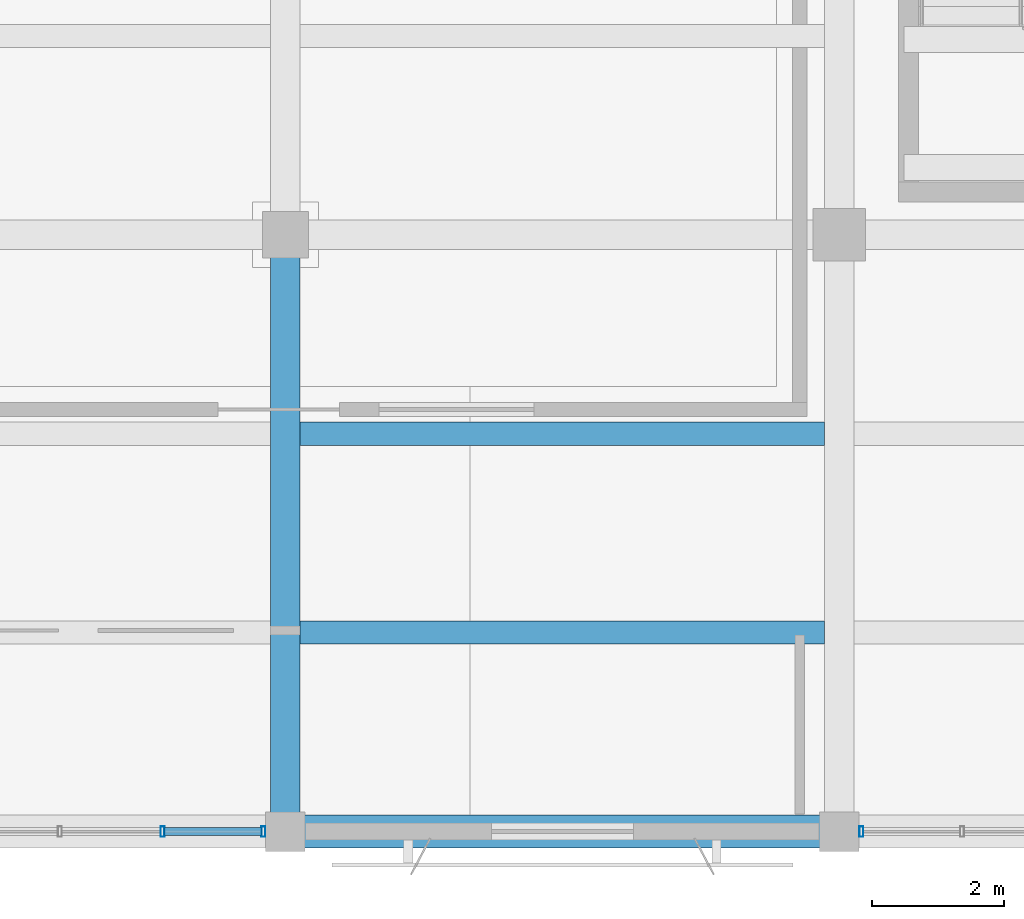
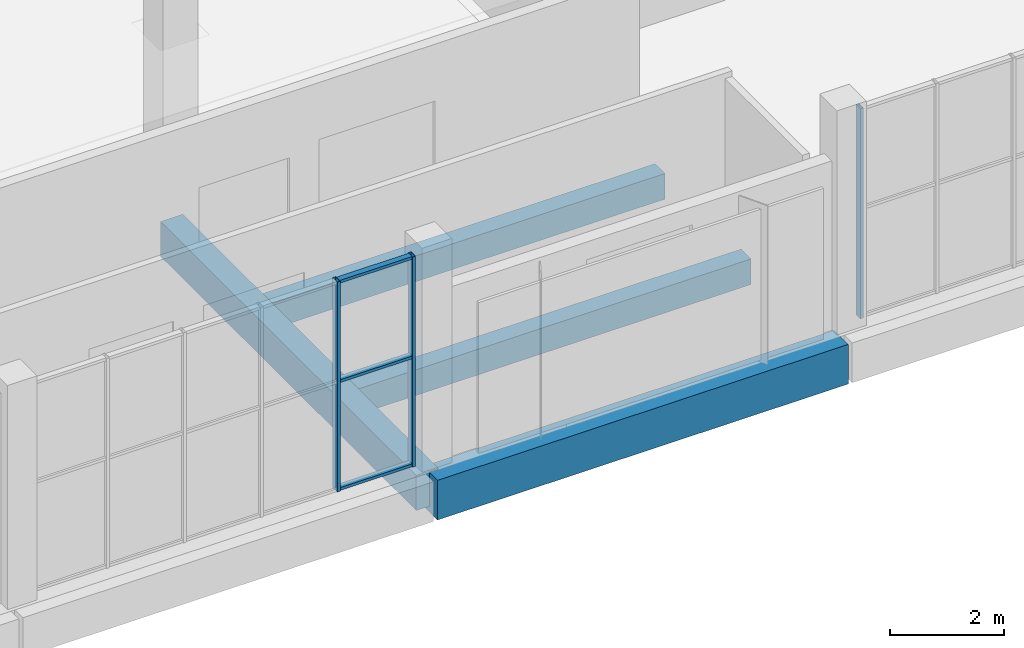
# One storey, part 8 of 80: 6 members, 4 beams, 2 elements without a shape of their own.
"""IFC4 building model written with IfcOpenShell, lengths in metres."""

from ifc_helpers import new_model, si_unit, direction, frame, origin, origin_2d, place, context, subcontext, project, spatial, rectangle, hollow_rectangle, extrude, material, material_profile, profile_set, type_object, element, aggregate, save


model = new_model("IFC4")

# Units and contexts
model_context = context("Model", 3, precision=1e-05, world=origin(), true_north=direction((0.0, 1.0)))
body_context = subcontext(model_context, "Body", "Model", "MODEL_VIEW")
ifc_project = project(units=[si_unit("LENGTHUNIT", "METRE"), si_unit("AREAUNIT", "SQUARE_METRE"), si_unit("VOLUMEUNIT", "CUBIC_METRE"), si_unit("PLANEANGLEUNIT", "RADIAN"), si_unit("MASSUNIT", "GRAM", prefix="KILO")], contexts=[model_context])

# Site, building, storey
site_placement = place(None, origin())
site = spatial("IfcSite", under=ifc_project, at=site_placement, CompositionType="ELEMENT")
building_placement = place(site_placement, origin())
building = spatial("IfcBuilding", under=site, at=building_placement, Name="Khurvash Pelagic Aquarium", CompositionType="ELEMENT")
storey_placement = place(building_placement, frame((0.0, 0.0, 10.800048828125)))
storey = spatial("IfcBuildingStorey", under=building, at=storey_placement, Name="L02", CompositionType="ELEMENT", Elevation=10.800048828125)

# Beam
ifc_material_1 = material(Name="Concrete C35/45", Category="concrete")
ifc_material_profile_1 = material_profile(ifc_material_1, rectangle(XDim=0.449951171875, YDim=0.75, at=origin_2d()), Name="RC450X750")
ifc_profile_set_1 = profile_set([ifc_material_profile_1], Name="Concrete C35/45")
beam_type_1 = type_object("IfcBeamType", Name="BM-04", PredefinedType="BEAM", material=ifc_profile_set_1)
beam_1_placement = place(storey_placement, frame((50.39990234375, 2.639892578125, -0.675048828125), z_axis=(0.0, 1.0, 0.0), x_axis=(-1.0, 0.0, 0.0)))
element("IfcBeam", 1, at=beam_1_placement, inside=storey, type_object=beam_type_1, Name="L02 Primary Girder BM-04 00677", PredefinedType="BEAM", context=body_context, shape_type="SweptSolid", body=[
    extrude(rectangle(XDim=0.449951171875, YDim=0.75, at=origin_2d()), origin(), (0.0, 0.0, 1.0), 8.97021484375),
])

# Curtain wall, members
ifc_material_2 = material(Name="Anodised aluminium and low-E laminated glass", Category="aluminium")
curtain_wall_type = type_object("IfcCurtainWallType", Name="CW-06", PredefinedType="USERDEFINED", material=ifc_material_2)
curtain_wall_1_placement = place(storey_placement, origin())
curtain_wall_1 = element("IfcCurtainWall", 2, at=curtain_wall_1_placement, inside=storey, type_object=curtain_wall_type, Name="L02 Facade Unitised Curtain Wall CW-06 0152", ObjectType="UNITISED CURTAIN WALL", PredefinedType="USERDEFINED")
ifc_material_3 = material(Name="Extruded aluminium AW-6063-T6", Category="aluminium")
ifc_material_profile_2 = material_profile(ifc_material_3, hollow_rectangle(XDim=0.06005859375, YDim=0.159912109375, WallThickness=0.00390625, at=origin_2d()), Name="CWM60X160X4")
ifc_profile_set_2 = profile_set([ifc_material_profile_2], Name="Extruded aluminium AW-6063-T6")
member_type_1 = type_object("IfcMemberType", Name="CM-02", PredefinedType="MULLION", material=ifc_profile_set_2)
member_1_placement = place(storey_placement, frame((48.537109375, 2.60009765625, 0.0), z_axis=(0.0, 0.0, 1.0), x_axis=(1.0, 0.0, 0.0)))
member_1 = element("IfcMember", 3, at=member_1_placement, type_object=member_type_1, Name="CW-06 mullion 5", PredefinedType="MULLION", context=body_context, shape_type="SweptSolid", body=[
    extrude(hollow_rectangle(XDim=0.06005859375, YDim=0.159912109375, WallThickness=0.00390625, at=origin_2d()), origin(), (0.0, 0.0, 1.0), 4.5),
])
member_2_placement = place(storey_placement, frame((50.06494140625, 2.60009765625, 0.0), z_axis=(0.0, 0.0, 1.0), x_axis=(1.0, 0.0, 0.0)))
member_2 = element("IfcMember", 4, at=member_2_placement, type_object=member_type_1, Name="CW-06 mullion 6", PredefinedType="MULLION", context=body_context, shape_type="SweptSolid", body=[
    extrude(hollow_rectangle(XDim=0.06005859375, YDim=0.159912109375, WallThickness=0.00390625, at=origin_2d()), origin(), (0.0, 0.0, 1.0), 4.5),
])

# Curtain wall, member
curtain_wall_2_placement = place(storey_placement, origin())
curtain_wall_2 = element("IfcCurtainWall", 5, at=curtain_wall_2_placement, inside=storey, type_object=curtain_wall_type, Name="L02 Facade Unitised Curtain Wall CW-06 0153", ObjectType="UNITISED CURTAIN WALL", PredefinedType="USERDEFINED")
member_3_placement = place(storey_placement, frame((59.135009765625, 2.60009765625, 0.0), z_axis=(0.0, 0.0, 1.0), x_axis=(1.0, 0.0, 0.0)))
member_3 = element("IfcMember", 6, at=member_3_placement, type_object=member_type_1, Name="CW-06 mullion 1", PredefinedType="MULLION", context=body_context, shape_type="SweptSolid", body=[
    extrude(hollow_rectangle(XDim=0.06005859375, YDim=0.159912109375, WallThickness=0.00390625, at=origin_2d()), origin(), (0.0, 0.0, 1.0), 4.5),
])
aggregate(curtain_wall_2, [member_3])

# Member
ifc_material_profile_3 = material_profile(ifc_material_3, hollow_rectangle(XDim=0.1201171875, YDim=0.06005859375, WallThickness=0.00390625, at=origin_2d()), Name="CWT120X60X4")
ifc_profile_set_3 = profile_set([ifc_material_profile_3], Name="Extruded aluminium AW-6063-T6")
member_type_2 = type_object("IfcMemberType", Name="CT-02", PredefinedType="USERDEFINED", material=ifc_profile_set_3)
member_4_placement = place(storey_placement, frame((48.56689453125, 2.60009765625, 0.030029296875), z_axis=(1.0, 0.0, 0.0), x_axis=(0.0, 1.0, 0.0)))
member_4 = element("IfcMember", 7, at=member_4_placement, type_object=member_type_2, Name="CW-06 transom 5.1", ObjectType="TRANSOM", PredefinedType="USERDEFINED", context=body_context, shape_type="SweptSolid", body=[
    extrude(hollow_rectangle(XDim=0.1201171875, YDim=0.06005859375, WallThickness=0.00390625, at=origin_2d()), origin(), (0.0, 0.0, 1.0), 1.468017578125),
])

member_5_placement = place(storey_placement, frame((48.56689453125, 2.60009765625, 2.33984375), z_axis=(1.0, 0.0, 0.0), x_axis=(0.0, 1.0, 0.0)))
member_5 = element("IfcMember", 8, at=member_5_placement, type_object=member_type_2, Name="CW-06 transom 5.2", ObjectType="TRANSOM", PredefinedType="USERDEFINED", context=body_context, shape_type="SweptSolid", body=[
    extrude(hollow_rectangle(XDim=0.1201171875, YDim=0.06005859375, WallThickness=0.00390625, at=origin_2d()), origin(), (0.0, 0.0, 1.0), 1.468017578125),
])

member_6_placement = place(storey_placement, frame((48.56689453125, 2.60009765625, 4.469970703125), z_axis=(1.0, 0.0, 0.0), x_axis=(0.0, 1.0, 0.0)))
member_6 = element("IfcMember", 9, at=member_6_placement, type_object=member_type_2, Name="CW-06 transom 5.3", ObjectType="TRANSOM", PredefinedType="USERDEFINED", context=body_context, shape_type="SweptSolid", body=[
    extrude(hollow_rectangle(XDim=0.1201171875, YDim=0.06005859375, WallThickness=0.00390625, at=origin_2d()), origin(), (0.0, 0.0, 1.0), 1.468017578125),
])

aggregate(curtain_wall_1, [member_1, member_2, member_4, member_5, member_6])

# Beams
ifc_material_profile_4 = material_profile(ifc_material_1, rectangle(XDim=0.35009765625, YDim=0.550048828125, at=origin_2d()), Name="RC350X550")
ifc_profile_set_4 = profile_set([ifc_material_profile_4], Name="Concrete C35/45")
beam_type_2 = type_object("IfcBeamType", Name="JS-01", PredefinedType="JOIST", material=ifc_profile_set_4)
for number, where, z_axis, x_axis, name in (
    (10, (50.625, 5.616943359375, -0.574951171875), (1.0, 0.0, 0.0), (0.0, 1.0, 0.0), "L02 Floor Joist JS-01 00765"),
    (11, (50.625, 8.633056640625, -0.574951171875), (1.0, 0.0, 0.0), (0.0, 1.0, 0.0), "L02 Floor Joist JS-01 00766"),
):
    element("IfcBeam", number, at=place(storey_placement, frame(where, z_axis=z_axis, x_axis=x_axis)), inside=storey, type_object=beam_type_2, Name=name, PredefinedType="JOIST", context=body_context, shape_type="SweptSolid", body=[
        extrude(rectangle(XDim=0.35009765625, YDim=0.550048828125, at=origin_2d()), origin(), (0.0, 0.0, 1.0), 7.949951171875),
    ])
ifc_material_4 = material(Name="Concrete C40/50", Category="concrete")
ifc_material_profile_5 = material_profile(ifc_material_4, rectangle(XDim=0.5, YDim=0.85009765625, at=origin_2d()), Name="RC500X850")
ifc_profile_set_5 = profile_set([ifc_material_profile_5], Name="Concrete C40/50")
beam_type_3 = type_object("IfcBeamType", Name="SEB-03", PredefinedType="SPANDREL", material=ifc_profile_set_5)
beam_2_placement = place(storey_placement, frame((50.43994140625, 2.60009765625, -0.7451171875), z_axis=(1.0, 0.0, 0.0), x_axis=(0.0, 1.0, 0.0)))
element("IfcBeam", 12, at=beam_2_placement, inside=storey, type_object=beam_type_3, Name="L02 Primary Girder SEB-03 00565", PredefinedType="SPANDREL", context=body_context, shape_type="SweptSolid", body=[
    extrude(rectangle(XDim=0.5, YDim=0.85009765625, at=origin_2d()), origin(), (0.0, 0.0, 1.0), 8.320068359375),
])

save(model, "model.ifc")
